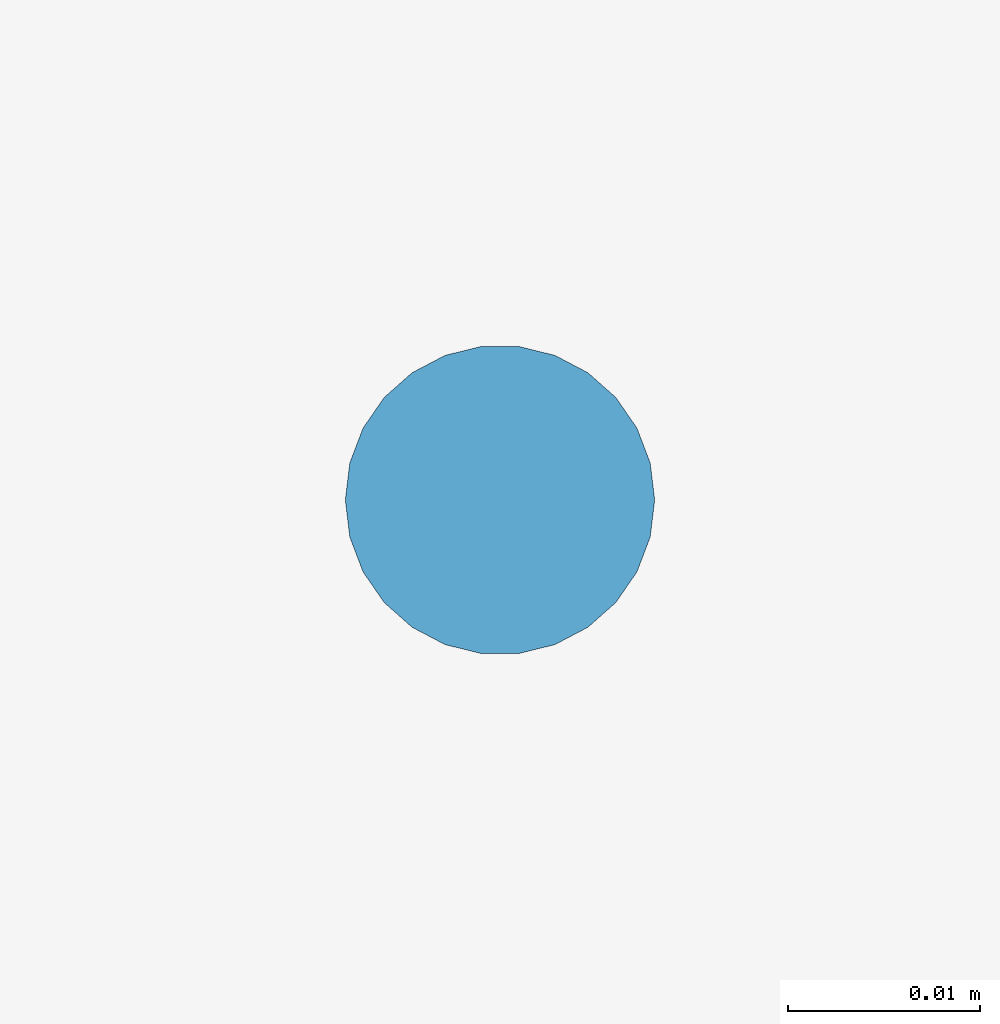
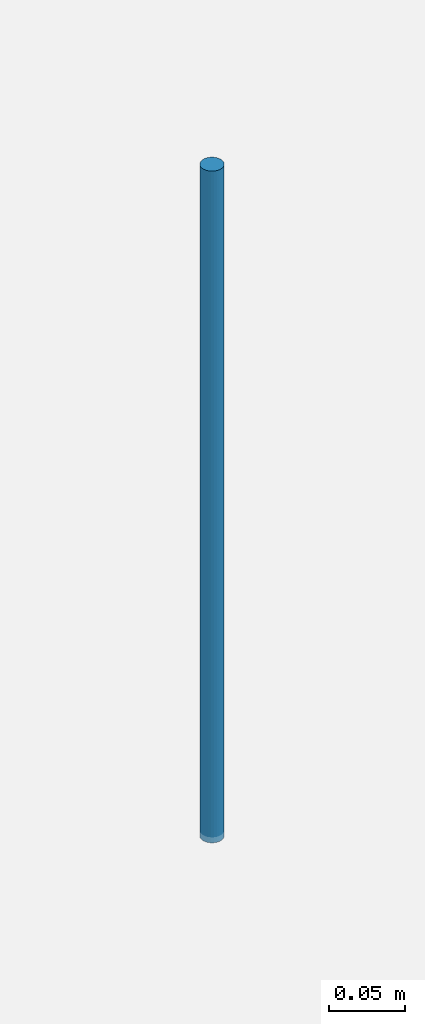
# One storey, part 68 of 82: 1 discrete accessory.
"""IFC4 building model written with IfcOpenShell, lengths in metres."""

from ifc_helpers import new_model, si_unit, direction, frame, origin, origin_2d, place, context, subcontext, project, spatial, circle, extrude, material, type_object, element, save


model = new_model("IFC4")

# Units and contexts
model_context = context("Model", 3, precision=1e-05, world=origin(), true_north=direction((0.0, 1.0)))
body_context = subcontext(model_context, "Body", "Model", "MODEL_VIEW")
ifc_project = project(units=[si_unit("LENGTHUNIT", "METRE"), si_unit("AREAUNIT", "SQUARE_METRE"), si_unit("VOLUMEUNIT", "CUBIC_METRE"), si_unit("PLANEANGLEUNIT", "RADIAN"), si_unit("MASSUNIT", "GRAM", prefix="KILO")], contexts=[model_context])

# Site, building, storey
site_placement = place(None, origin())
site = spatial("IfcSite", under=ifc_project, at=site_placement, CompositionType="ELEMENT")
building_placement = place(site_placement, origin())
building = spatial("IfcBuilding", under=site, at=building_placement, Name="Yukiwa Park Conservatory and Herbarium", CompositionType="ELEMENT")
storey_placement = place(building_placement, origin())
storey = spatial("IfcBuildingStorey", under=building, at=storey_placement, Name="L00", CompositionType="ELEMENT", Elevation=0.0)

# Discrete accessory
ifc_material = material(Name="Steel Q235B", Category="steel")
discrete_accessory_type = type_object("IfcDiscreteAccessoryType", Name="ACC-CEILING-HANGER", PredefinedType="BRACKET", material=ifc_material)
discrete_accessory_placement = place(storey_placement, frame((90.89990234375, 55.89990234375, 4.02490234375), z_axis=(0.0, 0.0, 1.0), x_axis=(1.0, 0.0, 0.0)))
element("IfcDiscreteAccessory", 1, at=discrete_accessory_placement, inside=storey, type_object=discrete_accessory_type, Name="Ceiling suspension hanger rod 5", PredefinedType="BRACKET", context=body_context, shape_type="SweptSolid", body=[
    extrude(circle(Radius=0.008056640625, at=origin_2d()), origin(), (0.0, 0.0, 1.0), 0.5400390625),
])

save(model, "model.ifc")
